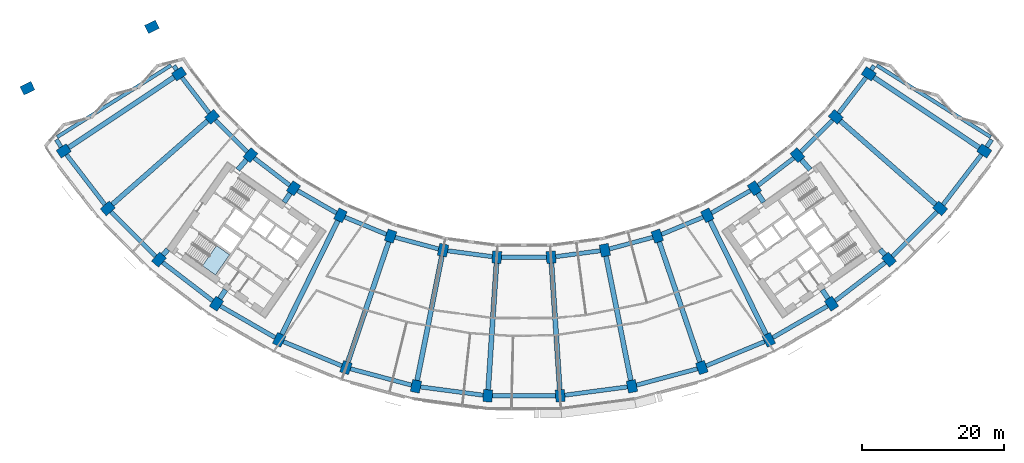
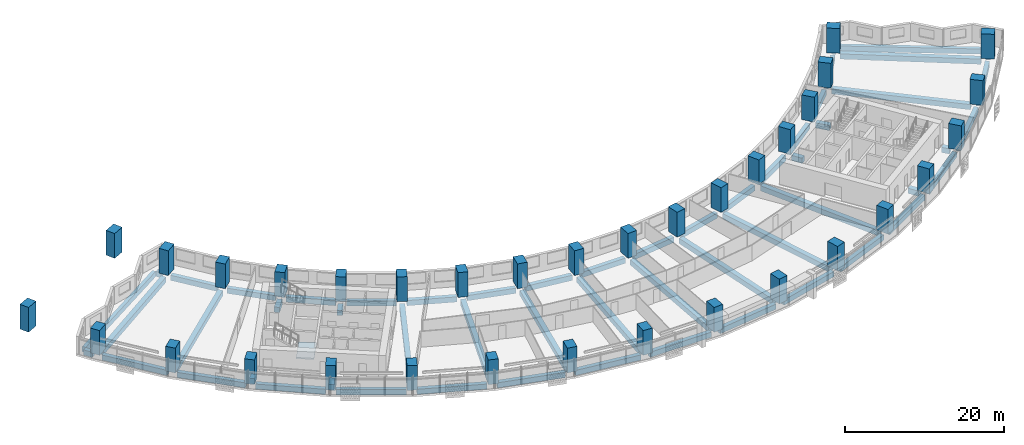
# One storey, part 1 of 31: 56 beams, 34 columns, 1 slab, 1 element without a shape of its own.
"""IFC4 building model written with IfcOpenShell, lengths in metres."""

from ifc_helpers import new_model, si_unit, direction, frame, origin, origin_2d, place, context, subcontext, project, spatial, polyline, rectangle, outline, extrude, material, layer, layer_set, material_profile, profile_set, type_object, element, aggregate, save


model = new_model("IFC4")

# Units and contexts
model_context = context("Model", 3, precision=1e-05, world=origin(), true_north=direction((0.0, 1.0)))
body_context = subcontext(model_context, "Body", "Model", "MODEL_VIEW")
ifc_project = project(units=[si_unit("LENGTHUNIT", "METRE"), si_unit("AREAUNIT", "SQUARE_METRE"), si_unit("VOLUMEUNIT", "CUBIC_METRE"), si_unit("PLANEANGLEUNIT", "RADIAN"), si_unit("MASSUNIT", "GRAM", prefix="KILO")], contexts=[model_context])

# Site, building, storey
site_placement = place(None, origin())
site = spatial("IfcSite", under=ifc_project, at=site_placement, CompositionType="ELEMENT")
building_placement = place(site_placement, origin())
building = spatial("IfcBuilding", under=site, at=building_placement, Name="Qamariyya Broadcast Tower", CompositionType="ELEMENT")
storey_placement = place(building_placement, frame((0.0, 0.0, 51.89990234375)))
storey = spatial("IfcBuildingStorey", under=building, at=storey_placement, Name="L09", CompositionType="ELEMENT", Elevation=51.89990234375)

# Columns
ifc_material_1 = material(Name="Concrete C70/85", Category="concrete")
ifc_material_profile_1 = material_profile(ifc_material_1, rectangle(XDim=1.300048828125, YDim=1.699951171875, at=origin_2d()))
ifc_profile_set_1 = profile_set([ifc_material_profile_1], Name="Concrete C70/85")
column_type = type_object("IfcColumnType", Name="RC column 1300 x 1700 C70/85", PredefinedType="COLUMN", material=ifc_profile_set_1)
for number, where, z_axis, x_axis, name in (
    (1, (-48.43310546875, -32.362060546875, 0.0), (0.0, 0.0, 1.0), (0.55557023302, -0.831469612303, 0.0), "Column C5 L09 B-R03"),
    (2, (-64.646728515625, -43.195556640625, 0.0), (0.0, 0.0, 1.0), (0.55557023302, -0.831469612303, 0.0), "Column C5 L09 C-R03"),
    (3, (-43.794677734375, -38.406982421875, 0.0), (0.0, 0.0, 1.0), (0.6593458151, -0.751839807479, 0.0), "Column C5 L09 B-R04"),
    (4, (-58.45556640625, -51.26416015625, 0.0), (0.0, 0.0, 1.0), (0.6593458151, -0.751839807479, 0.0), "Column C5 L09 C-R04"),
    (5, (-38.406982421875, -43.794677734375, 0.0), (0.0, 0.0, 1.0), (0.751839807479, -0.6593458151, 0.0), "Column C5 L09 B-R05"),
    (6, (-51.26416015625, -58.45556640625, 0.0), (0.0, 0.0, 1.0), (0.751839807479, -0.6593458151, 0.0), "Column C5 L09 C-R05"),
    (7, (-32.362060546875, -48.43310546875, 0.0), (0.0, 0.0, 1.0), (0.831469612303, -0.55557023302, 0.0), "Column C5 L09 B-R06"),
    (8, (-43.195556640625, -64.646728515625, 0.0), (0.0, 0.0, 1.0), (0.831469612303, -0.55557023302, 0.0), "Column C5 L09 C-R06"),
    (9, (-25.763427734375, -52.242919921875, 0.0), (0.0, 0.0, 1.0), (0.896872741533, -0.442288690219, 0.0), "Column C5 L09 B-R07"),
    (10, (-34.387939453125, -69.73193359375, 0.0), (0.0, 0.0, 1.0), (0.896872741533, -0.442288690219, 0.0), "Column C5 L09 C-R07"),
    (11, (-18.723876953125, -55.15869140625, 0.0), (0.0, 0.0, 1.0), (0.946930129495, -0.321439465303, 0.0), "Column C5 L09 B-R08"),
    (12, (-24.991943359375, -73.623779296875, 0.0), (0.0, 0.0, 1.0), (0.946930129495, -0.321439465303, 0.0), "Column C5 L09 C-R08"),
    (13, (-11.364013671875, -57.130859375, 0.0), (0.0, 0.0, 1.0), (0.980785280403, -0.195090322016, 0.0), "Column C5 L09 B-R09"),
    (14, (-15.168212890625, -76.256103515625, 0.0), (0.0, 0.0, 1.0), (0.980785280403, -0.195090322016, 0.0), "Column C5 L09 C-R09"),
    (15, (-3.809814453125, -58.125244140625, 0.0), (0.0, 0.0, 1.0), (0.997858923239, -0.06540312923, 0.0), "Column C5 L09 B-R10"),
    (16, (-5.085205078125, -77.58349609375, 0.0), (0.0, 0.0, 1.0), (0.997858923239, -0.06540312923, 0.0), "Column C5 L09 C-R10"),
    (17, (3.809814453125, -58.125244140625, 0.0), (0.0, 0.0, 1.0), (0.997858923239, 0.06540312923, 0.0), "Column C5 L09 B-R11"),
    (18, (5.085205078125, -77.58349609375, 0.0), (0.0, 0.0, 1.0), (0.997858923239, 0.06540312923, 0.0), "Column C5 L09 C-R11"),
    (19, (11.364013671875, -57.130859375, 0.0), (0.0, 0.0, 1.0), (0.980785280403, 0.195090322016, 0.0), "Column C5 L09 B-R12"),
    (20, (15.168212890625, -76.256103515625, 0.0), (0.0, 0.0, 1.0), (0.980785280403, 0.195090322016, 0.0), "Column C5 L09 C-R12"),
    (21, (18.723876953125, -55.15869140625, 0.0), (0.0, 0.0, 1.0), (0.946930129495, 0.321439465303, 0.0), "Column C5 L09 B-R13"),
    (22, (24.991943359375, -73.623779296875, 0.0), (0.0, 0.0, 1.0), (0.946930129495, 0.321439465303, 0.0), "Column C5 L09 C-R13"),
    (23, (25.763427734375, -52.242919921875, 0.0), (0.0, 0.0, 1.0), (0.896872741533, 0.442288690219, 0.0), "Column C5 L09 B-R14"),
    (24, (34.387939453125, -69.73193359375, 0.0), (0.0, 0.0, 1.0), (0.896872741533, 0.442288690219, 0.0), "Column C5 L09 C-R14"),
    (25, (32.362060546875, -48.43310546875, 0.0), (0.0, 0.0, 1.0), (0.831469612303, 0.55557023302, 0.0), "Column C5 L09 B-R15"),
    (26, (43.195556640625, -64.646728515625, 0.0), (0.0, 0.0, 1.0), (0.831469612303, 0.55557023302, 0.0), "Column C5 L09 C-R15"),
    (27, (38.406982421875, -43.794677734375, 0.0), (0.0, 0.0, 1.0), (0.751839807479, 0.6593458151, 0.0), "Column C5 L09 B-R16"),
    (28, (51.26416015625, -58.45556640625, 0.0), (0.0, 0.0, 1.0), (0.751839807479, 0.6593458151, 0.0), "Column C5 L09 C-R16"),
    (29, (43.794677734375, -38.406982421875, 0.0), (0.0, 0.0, 1.0), (0.6593458151, 0.751839807479, 0.0), "Column C5 L09 B-R17"),
    (30, (58.45556640625, -51.26416015625, 0.0), (0.0, 0.0, 1.0), (0.6593458151, 0.751839807479, 0.0), "Column C5 L09 C-R17"),
    (31, (48.43310546875, -32.362060546875, 0.0), (0.0, 0.0, 1.0), (0.55557023302, 0.831469612303, 0.0), "Column C5 L09 B-R18"),
    (32, (64.646728515625, -43.195556640625, 0.0), (0.0, 0.0, 1.0), (0.55557023302, 0.831469612303, 0.0), "Column C5 L09 C-R18"),
    (33, (-52.242919921875, -25.763427734375, 0.0), (0.0, 0.0, 1.0), (0.442288690219, -0.896872741533, 0.0), "Column C5 L09 B-R02"),
    (34, (-69.73193359375, -34.387939453125, 0.0), (0.0, 0.0, 1.0), (0.442288690219, -0.896872741533, 0.0), "Column C5 L09 C-R02"),
):
    element("IfcColumn", number, at=place(storey_placement, frame(where, z_axis=z_axis, x_axis=x_axis)), inside=storey, type_object=column_type, Name=name, PredefinedType="COLUMN", context=body_context, shape_type="SweptSolid", body=[
        extrude(rectangle(XDim=1.300048828125, YDim=1.699951171875, at=origin_2d()), origin(), (0.0, 0.0, 1.0), 3.800048828125),
    ])

# Beams
ifc_material_2 = material(Name="Concrete C50/60", Category="concrete")
ifc_material_profile_2 = material_profile(ifc_material_2, rectangle(XDim=0.60009765625, YDim=0.800048828125, at=origin_2d()))
ifc_profile_set_2 = profile_set([ifc_material_profile_2], Name="Concrete C50/60")
beam_type_1 = type_object("IfcBeamType", Name="RC edge beam 600 x 800 C50/60", PredefinedType="SPANDREL", material=ifc_profile_set_2)
beam_1_placement = place(storey_placement, frame((-48.03662109375, -32.878662109375, -0.699951171875), z_axis=(0.608763348773, -0.7933518672, 0.0), x_axis=(0.7933518672, 0.608763348773, 0.0)))
element("IfcBeam", 35, at=beam_1_placement, inside=storey, type_object=beam_type_1, Name="Edge beam B6 L09 B R03-R04", PredefinedType="SPANDREL", context=body_context, shape_type="SweptSolid", body=[
    extrude(rectangle(XDim=0.60009765625, YDim=0.800048828125, at=origin_2d()), origin(), (0.0, 0.0, 1.0), 6.31689453125),
])
beam_2_placement = place(storey_placement, frame((-43.333984375, -38.867431640625, -0.699951171875), z_axis=(0.707106781187, -0.707106781187, 0.0), x_axis=(0.707106781187, 0.707106781187, 0.0)))
element("IfcBeam", 36, at=beam_2_placement, inside=storey, type_object=beam_type_1, Name="Edge beam B6 L09 B R04-R05", PredefinedType="SPANDREL", context=body_context, shape_type="SweptSolid", body=[
    extrude(rectangle(XDim=0.60009765625, YDim=0.800048828125, at=origin_2d()), origin(), (0.0, 0.0, 1.0), 6.316650390625),
])
for number, where, z_axis, x_axis, name in (
    (37, (-37.89013671875, -44.191162109375, -0.699951171875), (0.7933518672, -0.608763348773, 0.0), (0.608763348773, 0.7933518672, 0.0), "Edge beam B6 L09 B R05-R06"),
    (38, (-31.7978515625, -48.7587890625, -0.699951171875), (0.866020173512, -0.500009058987, 0.0), (0.500009058987, 0.866020173512, 0.0), "Edge beam B6 L09 B R06-R07"),
):
    element("IfcBeam", number, at=place(storey_placement, frame(where, z_axis=z_axis, x_axis=x_axis)), inside=storey, type_object=beam_type_1, Name=name, PredefinedType="SPANDREL", context=body_context, shape_type="SweptSolid", body=[
        extrude(rectangle(XDim=0.60009765625, YDim=0.800048828125, at=origin_2d()), origin(), (0.0, 0.0, 1.0), 6.31689453125),
    ])
for number, where, z_axis, x_axis, name in (
    (39, (-25.16162109375, -52.4921875, -0.699951171875), (0.923884465345, -0.382671523234, 0.0), (0.382671523234, 0.923884465345, 0.0), "Edge beam B6 L09 B R07-R08"),
    (40, (-18.0947265625, -55.327392578125, -0.699951171875), (0.965931490327, -0.258797905699, 0.0), (0.258797905699, 0.965931490327, 0.0), "Edge beam B6 L09 B R08-R09"),
    (41, (-10.71826171875, -57.2158203125, -0.699951171875), (0.991445610946, -0.130520498525, 0.0), (0.130520498525, 0.991445610946, 0.0), "Edge beam B6 L09 B R09-R10"),
):
    element("IfcBeam", number, at=place(storey_placement, frame(where, z_axis=z_axis, x_axis=x_axis)), inside=storey, type_object=beam_type_1, Name=name, PredefinedType="SPANDREL", context=body_context, shape_type="SweptSolid", body=[
        extrude(rectangle(XDim=0.60009765625, YDim=0.800048828125, at=origin_2d()), origin(), (0.0, 0.0, 1.0), 6.316650390625),
    ])
beam_3_placement = place(storey_placement, frame((-3.158447265625, -58.125244140625, -0.699951171875), z_axis=(1.0, 0.0, 0.0), x_axis=(0.0, 1.0, 0.0)))
element("IfcBeam", 42, at=beam_3_placement, inside=storey, type_object=beam_type_1, Name="Edge beam B6 L09 B R10-R11", PredefinedType="SPANDREL", context=body_context, shape_type="SweptSolid", body=[
    extrude(rectangle(XDim=0.60009765625, YDim=0.800048828125, at=origin_2d()), origin(), (0.0, 0.0, 1.0), 6.31689453125),
])
for number, where, z_axis, x_axis, name in (
    (43, (4.45556640625, -58.040283203125, -0.699951171875), (0.991445610946, 0.130520498525, 0.0), (-0.130520498525, 0.991445610946, 0.0), "Edge beam B6 L09 B R11-R12"),
    (44, (11.9931640625, -56.962158203125, -0.699951171875), (0.965931490327, 0.258797905699, 0.0), (-0.258797905699, 0.965931490327, 0.0), "Edge beam B6 L09 B R12-R13"),
    (45, (19.32568359375, -54.909423828125, -0.699951171875), (0.923884465345, 0.382671523234, 0.0), (-0.382671523234, 0.923884465345, 0.0), "Edge beam B6 L09 B R13-R14"),
):
    element("IfcBeam", number, at=place(storey_placement, frame(where, z_axis=z_axis, x_axis=x_axis)), inside=storey, type_object=beam_type_1, Name=name, PredefinedType="SPANDREL", context=body_context, shape_type="SweptSolid", body=[
        extrude(rectangle(XDim=0.60009765625, YDim=0.800048828125, at=origin_2d()), origin(), (0.0, 0.0, 1.0), 6.316650390625),
    ])
for number, where, z_axis, x_axis, name in (
    (46, (26.327392578125, -51.917236328125, -0.699951171875), (0.866020173512, 0.500009058987, 0.0), (-0.500009058987, 0.866020173512, 0.0), "Edge beam B6 L09 B R14-R15"),
    (47, (32.878662109375, -48.03662109375, -0.699951171875), (0.7933518672, 0.608763348773, 0.0), (-0.608763348773, 0.7933518672, 0.0), "Edge beam B6 L09 B R15-R16"),
):
    element("IfcBeam", number, at=place(storey_placement, frame(where, z_axis=z_axis, x_axis=x_axis)), inside=storey, type_object=beam_type_1, Name=name, PredefinedType="SPANDREL", context=body_context, shape_type="SweptSolid", body=[
        extrude(rectangle(XDim=0.60009765625, YDim=0.800048828125, at=origin_2d()), origin(), (0.0, 0.0, 1.0), 6.31689453125),
    ])
beam_4_placement = place(storey_placement, frame((38.867431640625, -43.333984375, -0.699951171875), z_axis=(0.707106781187, 0.707106781187, 0.0), x_axis=(-0.707106781187, 0.707106781187, 0.0)))
element("IfcBeam", 48, at=beam_4_placement, inside=storey, type_object=beam_type_1, Name="Edge beam B6 L09 B R16-R17", PredefinedType="SPANDREL", context=body_context, shape_type="SweptSolid", body=[
    extrude(rectangle(XDim=0.60009765625, YDim=0.800048828125, at=origin_2d()), origin(), (0.0, 0.0, 1.0), 6.316650390625),
])
beam_5_placement = place(storey_placement, frame((44.191162109375, -37.89013671875, -0.699951171875), z_axis=(0.608763348773, 0.7933518672, 0.0), x_axis=(-0.7933518672, 0.608763348773, 0.0)))
element("IfcBeam", 49, at=beam_5_placement, inside=storey, type_object=beam_type_1, Name="Edge beam B6 L09 B R17-R18", PredefinedType="SPANDREL", context=body_context, shape_type="SweptSolid", body=[
    extrude(rectangle(XDim=0.60009765625, YDim=0.800048828125, at=origin_2d()), origin(), (0.0, 0.0, 1.0), 6.31689453125),
])
beam_6_placement = place(storey_placement, frame((-64.250244140625, -43.71240234375, -0.699951171875), z_axis=(0.608769622928, -0.793347052809, 0.0), x_axis=(0.793347052809, 0.608769622928, 0.0)))
element("IfcBeam", 50, at=beam_6_placement, inside=storey, type_object=beam_type_1, Name="Edge beam B6 L09 C R03-R04", PredefinedType="SPANDREL", context=body_context, shape_type="SweptSolid", body=[
    extrude(rectangle(XDim=0.60009765625, YDim=0.800048828125, at=origin_2d()), origin(), (0.0, 0.0, 1.0), 8.867431640625),
])
beam_7_placement = place(storey_placement, frame((-57.994873046875, -51.724853515625, -0.699951171875), z_axis=(0.707106781187, -0.707106781187, 0.0), x_axis=(0.707106781187, 0.707106781187, 0.0)))
element("IfcBeam", 51, at=beam_7_placement, inside=storey, type_object=beam_type_1, Name="Edge beam B6 L09 C R04-R05", PredefinedType="SPANDREL", context=body_context, shape_type="SweptSolid", body=[
    extrude(rectangle(XDim=0.60009765625, YDim=0.800048828125, at=origin_2d()), origin(), (0.0, 0.0, 1.0), 8.8671875),
])
beam_8_placement = place(storey_placement, frame((-50.747314453125, -58.85205078125, -0.699951171875), z_axis=(0.793347052809, -0.608769622928, 0.0), x_axis=(0.608769622928, 0.793347052809, 0.0)))
element("IfcBeam", 52, at=beam_8_placement, inside=storey, type_object=beam_type_1, Name="Edge beam B6 L09 C R05-R06", PredefinedType="SPANDREL", context=body_context, shape_type="SweptSolid", body=[
    extrude(rectangle(XDim=0.60009765625, YDim=0.800048828125, at=origin_2d()), origin(), (0.0, 0.0, 1.0), 8.867431640625),
])
beam_9_placement = place(storey_placement, frame((-42.63134765625, -64.972412109375, -0.699951171875), z_axis=(0.866013187848, -0.500021158025, 0.0), x_axis=(0.500021158025, 0.866013187848, 0.0)))
element("IfcBeam", 53, at=beam_9_placement, inside=storey, type_object=beam_type_1, Name="Edge beam B6 L09 C R06-R07", PredefinedType="SPANDREL", context=body_context, shape_type="SweptSolid", body=[
    extrude(rectangle(XDim=0.60009765625, YDim=0.800048828125, at=origin_2d()), origin(), (0.0, 0.0, 1.0), 8.8671875),
])
for number, where, z_axis, x_axis, name in (
    (54, (-33.7861328125, -69.981201171875, -0.699951171875), (0.923882942367, -0.382675200142, 0.0), (0.382675200142, 0.923882942367, 0.0), "Edge beam B6 L09 C R07-R08"),
    (55, (-24.36279296875, -73.79248046875, -0.699951171875), (0.965930847021, -0.258800306749, 0.0), (0.258800306749, 0.965930847021, 0.0), "Edge beam B6 L09 C R08-R09"),
    (56, (-14.5224609375, -76.341064453125, -0.699951171875), (0.991444171706, -0.13053143066, 0.0), (0.13053143066, 0.991444171706, 0.0), "Edge beam B6 L09 C R09-R10"),
):
    element("IfcBeam", number, at=place(storey_placement, frame(where, z_axis=z_axis, x_axis=x_axis)), inside=storey, type_object=beam_type_1, Name=name, PredefinedType="SPANDREL", context=body_context, shape_type="SweptSolid", body=[
        extrude(rectangle(XDim=0.60009765625, YDim=0.800048828125, at=origin_2d()), origin(), (0.0, 0.0, 1.0), 8.867431640625),
    ])
beam_10_placement = place(storey_placement, frame((-4.43359375, -77.58349609375, -0.699951171875), z_axis=(1.0, 0.0, 0.0), x_axis=(0.0, 1.0, 0.0)))
element("IfcBeam", 57, at=beam_10_placement, inside=storey, type_object=beam_type_1, Name="Edge beam B6 L09 C R10-R11", PredefinedType="SPANDREL", context=body_context, shape_type="SweptSolid", body=[
    extrude(rectangle(XDim=0.60009765625, YDim=0.800048828125, at=origin_2d()), origin(), (0.0, 0.0, 1.0), 8.8671875),
])
for number, where, z_axis, x_axis, name in (
    (58, (5.73095703125, -77.49853515625, -0.699951171875), (0.991444171706, 0.13053143066, 0.0), (-0.13053143066, 0.991444171706, 0.0), "Edge beam B6 L09 C R11-R12"),
    (59, (15.79736328125, -76.08740234375, -0.699951171875), (0.965930847021, 0.258800306749, 0.0), (-0.258800306749, 0.965930847021, 0.0), "Edge beam B6 L09 C R12-R13"),
    (60, (25.59375, -73.37451171875, -0.699951171875), (0.923882942367, 0.382675200142, 0.0), (-0.382675200142, 0.923882942367, 0.0), "Edge beam B6 L09 C R13-R14"),
):
    element("IfcBeam", number, at=place(storey_placement, frame(where, z_axis=z_axis, x_axis=x_axis)), inside=storey, type_object=beam_type_1, Name=name, PredefinedType="SPANDREL", context=body_context, shape_type="SweptSolid", body=[
        extrude(rectangle(XDim=0.60009765625, YDim=0.800048828125, at=origin_2d()), origin(), (0.0, 0.0, 1.0), 8.867431640625),
    ])
beam_11_placement = place(storey_placement, frame((34.9521484375, -69.40625, -0.699951171875), z_axis=(0.866013187848, 0.500021158025, 0.0), x_axis=(-0.500021158025, 0.866013187848, 0.0)))
element("IfcBeam", 61, at=beam_11_placement, inside=storey, type_object=beam_type_1, Name="Edge beam B6 L09 C R14-R15", PredefinedType="SPANDREL", context=body_context, shape_type="SweptSolid", body=[
    extrude(rectangle(XDim=0.60009765625, YDim=0.800048828125, at=origin_2d()), origin(), (0.0, 0.0, 1.0), 8.8671875),
])
beam_12_placement = place(storey_placement, frame((43.71240234375, -64.250244140625, -0.699951171875), z_axis=(0.793347052809, 0.608769622928, 0.0), x_axis=(-0.608769622928, 0.793347052809, 0.0)))
element("IfcBeam", 62, at=beam_12_placement, inside=storey, type_object=beam_type_1, Name="Edge beam B6 L09 C R15-R16", PredefinedType="SPANDREL", context=body_context, shape_type="SweptSolid", body=[
    extrude(rectangle(XDim=0.60009765625, YDim=0.800048828125, at=origin_2d()), origin(), (0.0, 0.0, 1.0), 8.867431640625),
])
beam_13_placement = place(storey_placement, frame((51.724853515625, -57.994873046875, -0.699951171875), z_axis=(0.707106781187, 0.707106781187, 0.0), x_axis=(-0.707106781187, 0.707106781187, 0.0)))
element("IfcBeam", 63, at=beam_13_placement, inside=storey, type_object=beam_type_1, Name="Edge beam B6 L09 C R16-R17", PredefinedType="SPANDREL", context=body_context, shape_type="SweptSolid", body=[
    extrude(rectangle(XDim=0.60009765625, YDim=0.800048828125, at=origin_2d()), origin(), (0.0, 0.0, 1.0), 8.8671875),
])
beam_14_placement = place(storey_placement, frame((58.85205078125, -50.747314453125, -0.699951171875), z_axis=(0.608769622928, 0.793347052809, 0.0), x_axis=(-0.793347052809, 0.608769622928, 0.0)))
element("IfcBeam", 64, at=beam_14_placement, inside=storey, type_object=beam_type_1, Name="Edge beam B6 L09 C R17-R18", PredefinedType="SPANDREL", context=body_context, shape_type="SweptSolid", body=[
    extrude(rectangle(XDim=0.60009765625, YDim=0.800048828125, at=origin_2d()), origin(), (0.0, 0.0, 1.0), 8.867431640625),
])
ifc_material_profile_3 = material_profile(ifc_material_2, rectangle(XDim=0.60009765625, YDim=0.800048828125, at=origin_2d()))
ifc_profile_set_3 = profile_set([ifc_material_profile_3], Name="Concrete C50/60")
beam_type_2 = type_object("IfcBeamType", Name="RC horn beam 600 x 800 C50/60", PredefinedType="BEAM", material=ifc_profile_set_3)
beam_15_placement = place(storey_placement, frame((-48.786865234375, -31.816650390625, -0.699951171875), z_axis=(-0.543710401784, 0.839272898998, 0.0), x_axis=(-0.839272898998, -0.543710401784, 0.0)))
element("IfcBeam", 65, at=beam_15_placement, inside=storey, type_object=beam_type_2, Name="Horn beam B7 L09 W B-R03", PredefinedType="BEAM", context=body_context, shape_type="SweptSolid", body=[
    extrude(rectangle(XDim=0.60009765625, YDim=0.800048828125, at=origin_2d()), origin(), (0.0, 0.0, 1.0), 0.705322265625),
])
beam_16_placement = place(storey_placement, frame((-65.00048828125, -42.650146484375, -0.699951171875), z_axis=(-0.544000488539, 0.839084899441, 0.0), x_axis=(-0.839084899441, -0.544000488539, 0.0)))
element("IfcBeam", 66, at=beam_16_placement, inside=storey, type_object=beam_type_2, Name="Horn beam B7 L09 W C-R03", PredefinedType="BEAM", context=body_context, shape_type="SweptSolid", body=[
    extrude(rectangle(XDim=0.60009765625, YDim=0.800048828125, at=origin_2d()), origin(), (0.0, 0.0, 1.0), 1.24267578125),
])
beam_17_placement = place(storey_placement, frame((48.786865234375, -31.816650390625, -0.699951171875), z_axis=(0.543710401784, 0.839272898998, 0.0), x_axis=(-0.839272898998, 0.543710401784, 0.0)))
element("IfcBeam", 67, at=beam_17_placement, inside=storey, type_object=beam_type_2, Name="Horn beam B7 L09 E B-R18", PredefinedType="BEAM", context=body_context, shape_type="SweptSolid", body=[
    extrude(rectangle(XDim=0.60009765625, YDim=0.800048828125, at=origin_2d()), origin(), (0.0, 0.0, 1.0), 0.705322265625),
])
beam_18_placement = place(storey_placement, frame((65.00048828125, -42.650146484375, -0.699951171875), z_axis=(0.544000488539, 0.839084899441, 0.0), x_axis=(-0.839084899441, 0.544000488539, 0.0)))
element("IfcBeam", 68, at=beam_18_placement, inside=storey, type_object=beam_type_2, Name="Horn beam B7 L09 E C-R18", PredefinedType="BEAM", context=body_context, shape_type="SweptSolid", body=[
    extrude(rectangle(XDim=0.60009765625, YDim=0.800048828125, at=origin_2d()), origin(), (0.0, 0.0, 1.0), 1.24267578125),
])
ifc_material_profile_4 = material_profile(ifc_material_2, rectangle(XDim=0.5, YDim=0.800048828125, at=origin_2d()))
ifc_profile_set_4 = profile_set([ifc_material_profile_4], Name="Concrete C50/60")
beam_type_3 = type_object("IfcBeamType", Name="RC horn cap beam 500 x 800 C50/60", PredefinedType="BEAM", material=ifc_profile_set_4)
for number, where, z_axis, x_axis, name in (
    (69, (-49.560546875, -31.1748046875, -0.699951171875), (-0.846467889406, -0.532439773311, 0.0), (0.532439773311, -0.846467889406, 0.0), "Horn cap beam B8 L09 W B-C"),
    (70, (49.560546875, -31.1748046875, -0.699951171875), (0.846467889406, -0.532439773311, 0.0), (0.532439773311, 0.846467889406, 0.0), "Horn cap beam B8 L09 E B-C"),
):
    element("IfcBeam", number, at=place(storey_placement, frame(where, z_axis=z_axis, x_axis=x_axis)), inside=storey, type_object=beam_type_3, Name=name, PredefinedType="BEAM", context=body_context, shape_type="SweptSolid", body=[
        extrude(rectangle(XDim=0.5, YDim=0.800048828125, at=origin_2d()), origin(), (0.0, 0.0, 1.0), 18.899658203125),
    ])
ifc_material_profile_5 = material_profile(ifc_material_2, rectangle(XDim=0.699951171875, YDim=0.800048828125, at=origin_2d()))
ifc_profile_set_5 = profile_set([ifc_material_profile_5], Name="Concrete C50/60")
beam_type_4 = type_object("IfcBeamType", Name="RC radial beam 700 x 800 C50/60", PredefinedType="BEAM", material=ifc_profile_set_5)
for number, where, z_axis, x_axis, name in (
    (71, (-49.139892578125, -32.834228515625, -0.699951171875), (-0.831467440413, -0.555573483469, 0.0), (0.555573483469, -0.831467440413, 0.0), "Radial beam B5 L09 R03 B-C"),
    (72, (-44.433837890625, -38.96728515625, -0.699951171875), (-0.751836168626, -0.659349964393, 0.0), (0.659349964393, -0.751836168626, 0.0), "Radial beam B5 L09 R04 B-C"),
):
    element("IfcBeam", number, at=place(storey_placement, frame(where, z_axis=z_axis, x_axis=x_axis)), inside=storey, type_object=beam_type_4, Name=name, PredefinedType="BEAM", context=body_context, shape_type="SweptSolid", body=[
        extrude(rectangle(XDim=0.699951171875, YDim=0.800048828125, at=origin_2d()), origin(), (0.0, 0.0, 1.0), 17.7998046875),
    ])
beam_19_placement = place(storey_placement, frame((-38.96728515625, -44.433837890625, -0.699951171875), z_axis=(-0.659385827408, -0.751804715743, 0.0), x_axis=(0.751804715743, -0.659385827408, 0.0)))
element("IfcBeam", 73, at=beam_19_placement, inside=storey, type_object=beam_type_4, Name="Radial beam B5 L09 R05 B-C", PredefinedType="BEAM", context=body_context, shape_type="SweptSolid", body=[
    extrude(rectangle(XDim=0.699951171875, YDim=0.800048828125, at=origin_2d()), origin(), (0.0, 0.0, 1.0), 1.8623046875),
])
beam_20_placement = place(storey_placement, frame((-50.011962890625, -57.027587890625, -0.699951171875), z_axis=(-0.659278599496, -0.751898748667, 0.0), x_axis=(0.751898748667, -0.659278599496, 0.0)))
element("IfcBeam", 74, at=beam_20_placement, inside=storey, type_object=beam_type_4, Name="Radial beam B5 L09 R05 B-C", PredefinedType="BEAM", context=body_context, shape_type="SweptSolid", body=[
    extrude(rectangle(XDim=0.699951171875, YDim=0.800048828125, at=origin_2d()), origin(), (0.0, 0.0, 1.0), 1.049072265625),
])
beam_21_placement = place(storey_placement, frame((-32.834228515625, -49.139892578125, -0.699951171875), z_axis=(-0.555518362002, -0.831504269068, 0.0), x_axis=(0.831504269068, -0.555518362002, 0.0)))
element("IfcBeam", 75, at=beam_21_placement, inside=storey, type_object=beam_type_4, Name="Radial beam B5 L09 R06 B-C", PredefinedType="BEAM", context=body_context, shape_type="SweptSolid", body=[
    extrude(rectangle(XDim=0.699951171875, YDim=0.800048828125, at=origin_2d()), origin(), (0.0, 0.0, 1.0), 1.514404296875),
])
beam_22_placement = place(storey_placement, frame((-41.89990234375, -62.707763671875, -0.699951171875), z_axis=(-0.555650227013, -0.831416156459, 0.0), x_axis=(0.831416156459, -0.555650227013, 0.0)))
element("IfcBeam", 76, at=beam_22_placement, inside=storey, type_object=beam_type_4, Name="Radial beam B5 L09 R06 B-C", PredefinedType="BEAM", context=body_context, shape_type="SweptSolid", body=[
    extrude(rectangle(XDim=0.699951171875, YDim=0.800048828125, at=origin_2d()), origin(), (0.0, 0.0, 1.0), 1.48193359375),
])
beam_23_placement = place(storey_placement, frame((-26.13916015625, -53.005126953125, -0.699951171875), z_axis=(-0.442291123934, -0.896871541353, 0.0), x_axis=(0.896871541353, -0.442291123934, 0.0)))
element("IfcBeam", 77, at=beam_23_placement, inside=storey, type_object=beam_type_4, Name="Radial beam B5 L09 R07 B-C", PredefinedType="BEAM", context=body_context, shape_type="SweptSolid", body=[
    extrude(rectangle(XDim=0.699951171875, YDim=0.800048828125, at=origin_2d()), origin(), (0.0, 0.0, 1.0), 17.800048828125),
])
beam_24_placement = place(storey_placement, frame((-18.9970703125, -55.963623046875, -0.699951171875), z_axis=(-0.321444599042, -0.94692838681, 0.0), x_axis=(0.94692838681, -0.321444599042, 0.0)))
element("IfcBeam", 78, at=beam_24_placement, inside=storey, type_object=beam_type_4, Name="Radial beam B5 L09 R08 B-C", PredefinedType="BEAM", context=body_context, shape_type="SweptSolid", body=[
    extrude(rectangle(XDim=0.699951171875, YDim=0.800048828125, at=origin_2d()), origin(), (0.0, 0.0, 1.0), 17.7998046875),
])
for number, where, z_axis, x_axis, name in (
    (79, (-11.52978515625, -57.96435546875, -0.699951171875), (-0.19509262344, -0.980784822619, 0.0), (0.980784822619, -0.19509262344, 0.0), "Radial beam B5 L09 R09 B-C"),
    (80, (-3.865234375, -58.973388671875, -0.699951171875), (-0.0654101824, -0.997858460924, 0.0), (0.997858460924, -0.0654101824, 0.0), "Radial beam B5 L09 R10 B-C"),
    (81, (3.865234375, -58.973388671875, -0.699951171875), (0.0654101824, -0.997858460924, 0.0), (0.997858460924, 0.0654101824, 0.0), "Radial beam B5 L09 R11 B-C"),
    (82, (11.52978515625, -57.96435546875, -0.699951171875), (0.19509262344, -0.980784822619, 0.0), (0.980784822619, 0.19509262344, 0.0), "Radial beam B5 L09 R12 B-C"),
):
    element("IfcBeam", number, at=place(storey_placement, frame(where, z_axis=z_axis, x_axis=x_axis)), inside=storey, type_object=beam_type_4, Name=name, PredefinedType="BEAM", context=body_context, shape_type="SweptSolid", body=[
        extrude(rectangle(XDim=0.699951171875, YDim=0.800048828125, at=origin_2d()), origin(), (0.0, 0.0, 1.0), 17.800048828125),
    ])
beam_25_placement = place(storey_placement, frame((18.9970703125, -55.963623046875, -0.699951171875), z_axis=(0.321444599042, -0.94692838681, 0.0), x_axis=(0.94692838681, 0.321444599042, 0.0)))
element("IfcBeam", 83, at=beam_25_placement, inside=storey, type_object=beam_type_4, Name="Radial beam B5 L09 R13 B-C", PredefinedType="BEAM", context=body_context, shape_type="SweptSolid", body=[
    extrude(rectangle(XDim=0.699951171875, YDim=0.800048828125, at=origin_2d()), origin(), (0.0, 0.0, 1.0), 17.7998046875),
])
beam_26_placement = place(storey_placement, frame((26.13916015625, -53.005126953125, -0.699951171875), z_axis=(0.442291123934, -0.896871541353, 0.0), x_axis=(0.896871541353, 0.442291123934, 0.0)))
element("IfcBeam", 84, at=beam_26_placement, inside=storey, type_object=beam_type_4, Name="Radial beam B5 L09 R14 B-C", PredefinedType="BEAM", context=body_context, shape_type="SweptSolid", body=[
    extrude(rectangle(XDim=0.699951171875, YDim=0.800048828125, at=origin_2d()), origin(), (0.0, 0.0, 1.0), 17.800048828125),
])
beam_27_placement = place(storey_placement, frame((32.834228515625, -49.139892578125, -0.699951171875), z_axis=(0.555518362002, -0.831504269068, 0.0), x_axis=(0.831504269068, 0.555518362002, 0.0)))
element("IfcBeam", 85, at=beam_27_placement, inside=storey, type_object=beam_type_4, Name="Radial beam B5 L09 R15 B-C", PredefinedType="BEAM", context=body_context, shape_type="SweptSolid", body=[
    extrude(rectangle(XDim=0.699951171875, YDim=0.800048828125, at=origin_2d()), origin(), (0.0, 0.0, 1.0), 1.514404296875),
])
beam_28_placement = place(storey_placement, frame((41.89990234375, -62.707763671875, -0.699951171875), z_axis=(0.555650227013, -0.831416156459, 0.0), x_axis=(0.831416156459, 0.555650227013, 0.0)))
element("IfcBeam", 86, at=beam_28_placement, inside=storey, type_object=beam_type_4, Name="Radial beam B5 L09 R15 B-C", PredefinedType="BEAM", context=body_context, shape_type="SweptSolid", body=[
    extrude(rectangle(XDim=0.699951171875, YDim=0.800048828125, at=origin_2d()), origin(), (0.0, 0.0, 1.0), 1.48193359375),
])
beam_29_placement = place(storey_placement, frame((38.96728515625, -44.433837890625, -0.699951171875), z_axis=(0.659385827408, -0.751804715743, 0.0), x_axis=(0.751804715743, 0.659385827408, 0.0)))
element("IfcBeam", 87, at=beam_29_placement, inside=storey, type_object=beam_type_4, Name="Radial beam B5 L09 R16 B-C", PredefinedType="BEAM", context=body_context, shape_type="SweptSolid", body=[
    extrude(rectangle(XDim=0.699951171875, YDim=0.800048828125, at=origin_2d()), origin(), (0.0, 0.0, 1.0), 1.8623046875),
])
beam_30_placement = place(storey_placement, frame((50.011962890625, -57.027587890625, -0.699951171875), z_axis=(0.659278599496, -0.751898748667, 0.0), x_axis=(0.751898748667, 0.659278599496, 0.0)))
element("IfcBeam", 88, at=beam_30_placement, inside=storey, type_object=beam_type_4, Name="Radial beam B5 L09 R16 B-C", PredefinedType="BEAM", context=body_context, shape_type="SweptSolid", body=[
    extrude(rectangle(XDim=0.699951171875, YDim=0.800048828125, at=origin_2d()), origin(), (0.0, 0.0, 1.0), 1.049072265625),
])
for number, where, z_axis, x_axis, name in (
    (89, (44.433837890625, -38.96728515625, -0.699951171875), (0.751836168626, -0.659349964393, 0.0), (0.659349964393, 0.751836168626, 0.0), "Radial beam B5 L09 R17 B-C"),
    (90, (49.139892578125, -32.834228515625, -0.699951171875), (0.831467440413, -0.555573483469, 0.0), (0.555573483469, 0.831467440413, 0.0), "Radial beam B5 L09 R18 B-C"),
):
    element("IfcBeam", number, at=place(storey_placement, frame(where, z_axis=z_axis, x_axis=x_axis)), inside=storey, type_object=beam_type_4, Name=name, PredefinedType="BEAM", context=body_context, shape_type="SweptSolid", body=[
        extrude(rectangle(XDim=0.699951171875, YDim=0.800048828125, at=origin_2d()), origin(), (0.0, 0.0, 1.0), 17.7998046875),
    ])

# Stair, slab
stair_type = type_object("IfcStairType", Name="Exit stair 22 risers of 173 mm", PredefinedType="HALF_TURN_STAIR", material=ifc_material_2)
stair_placement = place(storey_placement, origin())
stair = element("IfcStair", 91, at=stair_placement, inside=storey, type_object=stair_type, Name="L09 Stair W1", PredefinedType="HALF_TURN_STAIR")
ifc_layer = layer(ifc_material_2, 0.199951171875)
ifc_layer_set = layer_set([ifc_layer], Name="Stair landing")
slab_type = type_object("IfcSlabType", Name="Stair landing", PredefinedType="LANDING", material=ifc_layer_set)
slab_placement = place(storey_placement, frame((0.0, 0.0, 1.7001953125)))
slab = element("IfcSlab", 92, at=slab_placement, type_object=slab_type, Name="ST-W1 landing 1", PredefinedType="LANDING", context=body_context, shape_type="SweptSolid", body=[
    extrude(outline(polyline([(-45.169677734375, -59.319580078125), (-43.3271484375, -60.609619140625), (-41.348388671875, -57.783447265625), (-43.19091796875, -56.493408203125), (-45.169677734375, -59.319580078125)])), origin(), (0.0, 0.0, 1.0), 0.199951171875),
])
aggregate(stair, [slab])

save(model, "model.ifc")
